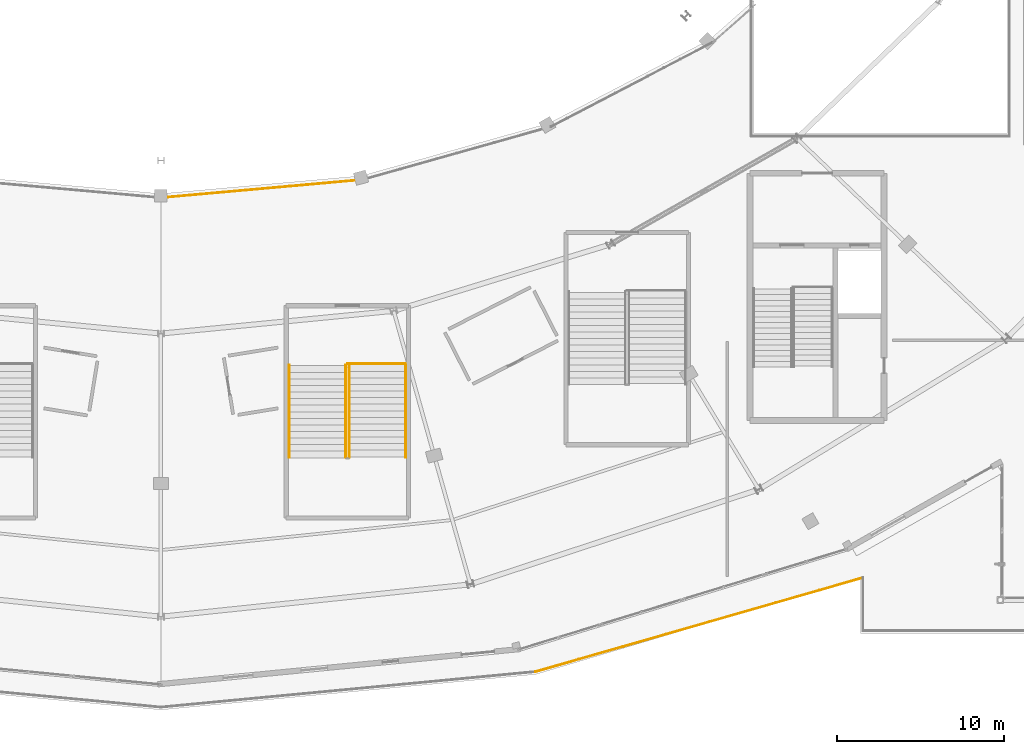
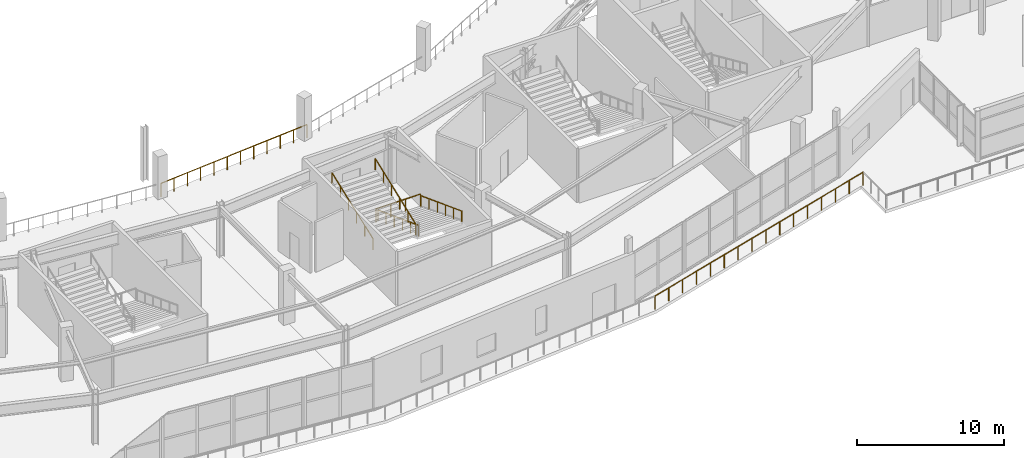
# One storey, part 108 of 123: 7 railings.
"""IFC4 building model written with IfcOpenShell, lengths in metres."""

from ifc_helpers import new_model, si_unit, direction, frame, origin, origin_2d, place, context, subcontext, project, spatial, circle, extrude, material, type_object, element, save


model = new_model("IFC4")

# Units and contexts
model_context = context("Model", 3, precision=1e-05, world=origin(), true_north=direction((0.0, 1.0)))
body_context = subcontext(model_context, "Body", "Model", "MODEL_VIEW")
ifc_project = project(units=[si_unit("LENGTHUNIT", "METRE"), si_unit("AREAUNIT", "SQUARE_METRE"), si_unit("VOLUMEUNIT", "CUBIC_METRE"), si_unit("PLANEANGLEUNIT", "RADIAN"), si_unit("MASSUNIT", "GRAM", prefix="KILO")], contexts=[model_context])

# Site, building, storey
site_placement = place(None, origin())
site = spatial("IfcSite", under=ifc_project, at=site_placement, CompositionType="ELEMENT")
building_placement = place(site_placement, origin())
building = spatial("IfcBuilding", under=site, at=building_placement, Name="Kalgoora Escarpment Arena", CompositionType="ELEMENT")
storey_placement = place(building_placement, frame((0.0, 0.0, 9.89990234375)))
storey = spatial("IfcBuildingStorey", under=building, at=storey_placement, Name="L02", CompositionType="ELEMENT", Elevation=9.89990234375)

# Railings
ifc_material_1 = material(Name="Galvanised & powdercoated tubular steel", Category="steel")
railing_type_1 = type_object("IfcRailingType", Name="RAL-GUARD-1120", PredefinedType="GUARDRAIL", material=ifc_material_1)
railing_1_placement = place(storey_placement, frame((107.090087890625, 22.18994140625, 0.0)))
element("IfcRailing", 1, at=railing_1_placement, inside=storey, type_object=railing_type_1, Name="ST15 L02 floor landing well guard", PredefinedType="GUARDRAIL", context=body_context, shape_type="SweptSolid", body=[
    extrude(circle(Radius=0.02392578125, at=origin_2d()), frame((0.0, 0.0, 1.09619140625), z_axis=(-1.0, 0.0, 0.0), x_axis=(0.0, -1.0, 0.0)), (0.0, 0.0, 1.0), 3.489990234375),
    extrude(circle(Radius=0.02099609375, at=origin_2d()), origin(), (0.0, 0.0, 1.0), 1.072021484375),
    extrude(circle(Radius=0.02099609375, at=origin_2d()), frame((-1.163330078125, 0.0, 0.0)), (0.0, 0.0, 1.0), 1.072021484375),
    extrude(circle(Radius=0.02099609375, at=origin_2d()), frame((-2.32666015625, 0.0, 0.0)), (0.0, 0.0, 1.0), 1.072021484375),
    extrude(circle(Radius=0.02099609375, at=origin_2d()), frame((-3.489990234375, 0.0, 0.0)), (0.0, 0.0, 1.0), 1.072021484375),
])
railing_2_placement = place(storey_placement, frame((92.39990234375, 32.14990234375, 0.0)))
element("IfcRailing", 2, at=railing_2_placement, inside=storey, type_object=railing_type_1, Name="L02 concourse bowl balustrade 19", PredefinedType="GUARDRAIL", context=body_context, shape_type="SweptSolid", body=[
    extrude(circle(Radius=0.02392578125, at=origin_2d()), frame((0.0, 0.0, 1.09619140625), z_axis=(0.996017346232, 0.089159665801, 0.0), x_axis=(-0.089159665801, 0.996017346232, 0.0)), (0.0, 0.0, 1.0), 12.17431640625),
    extrude(circle(Radius=0.02099609375, at=origin_2d()), origin(), (0.0, 0.0, 1.0), 1.072021484375),
    extrude(circle(Radius=0.02099609375, at=origin_2d()), frame((1.102294921875, 0.0986328125, 0.0)), (0.0, 0.0, 1.0), 1.072021484375),
    extrude(circle(Radius=0.02099609375, at=origin_2d()), frame((2.20458984375, 0.197265625, 0.0)), (0.0, 0.0, 1.0), 1.072021484375),
    extrude(circle(Radius=0.02099609375, at=origin_2d()), frame((3.30712890625, 0.296142578125, 0.0)), (0.0, 0.0, 1.0), 1.072021484375),
    extrude(circle(Radius=0.02099609375, at=origin_2d()), frame((4.409423828125, 0.394775390625, 0.0)), (0.0, 0.0, 1.0), 1.072021484375),
    extrude(circle(Radius=0.02099609375, at=origin_2d()), frame((5.51171875, 0.493408203125, 0.0)), (0.0, 0.0, 1.0), 1.072021484375),
    extrude(circle(Radius=0.02099609375, at=origin_2d()), frame((6.614013671875, 0.592041015625, 0.0)), (0.0, 0.0, 1.0), 1.072021484375),
    extrude(circle(Radius=0.02099609375, at=origin_2d()), frame((7.71630859375, 0.690673828125, 0.0)), (0.0, 0.0, 1.0), 1.072021484375),
    extrude(circle(Radius=0.02099609375, at=origin_2d()), frame((8.818603515625, 0.789306640625, 0.0)), (0.0, 0.0, 1.0), 1.072021484375),
    extrude(circle(Radius=0.02099609375, at=origin_2d()), frame((9.921142578125, 0.88818359375, 0.0)), (0.0, 0.0, 1.0), 1.072021484375),
    extrude(circle(Radius=0.02099609375, at=origin_2d()), frame((11.0234375, 0.98681640625, 0.0)), (0.0, 0.0, 1.0), 1.072021484375),
    extrude(circle(Radius=0.02099609375, at=origin_2d()), frame((12.125732421875, 1.08544921875, 0.0)), (0.0, 0.0, 1.0), 1.072021484375),
])
ifc_material_2 = material(Name="Brushed stainless steel 316 handrail", Category="steel")
railing_type_2 = type_object("IfcRailingType", Name="RAL-HAND-920", PredefinedType="HANDRAIL", material=ifc_material_2)
for number, where, name in (
    (3, (107.10009765625, 22.110107421875, 0.110107421875), "ST15 L02 pitched stair handrail F1L"),
    (4, (103.705078125, 22.110107421875, 0.110107421875), "ST15 L02 pitched stair handrail F1R"),
):
    element("IfcRailing", number, at=place(storey_placement, frame(where)), inside=storey, type_object=railing_type_2, Name=name, PredefinedType="HANDRAIL", context=body_context, shape_type="SweptSolid", body=[
        extrude(circle(Radius=0.02392578125, at=origin_2d()), frame((0.0, 0.0, 0.89599609375), z_axis=(0.0, -0.935492612948, 0.353346248203), x_axis=(1.0, 0.0, 0.0)), (0.0, 0.0, 1.0), 5.943359375),
        extrude(circle(Radius=0.02099609375, at=origin_2d()), origin(), (0.0, 0.0, 1.0), 0.871826171875),
        extrude(circle(Radius=0.02099609375, at=origin_2d()), frame((0.0, -1.112060546875, 0.419921875)), (0.0, 0.0, 1.0), 0.871826171875),
        extrude(circle(Radius=0.02099609375, at=origin_2d()), frame((0.0, -2.22412109375, 0.840087890625)), (0.0, 0.0, 1.0), 0.871826171875),
        extrude(circle(Radius=0.02099609375, at=origin_2d()), frame((0.0, -3.3359375, 1.260009765625)), (0.0, 0.0, 1.0), 0.871826171875),
        extrude(circle(Radius=0.02099609375, at=origin_2d()), frame((0.0, -4.447998046875, 1.68017578125)), (0.0, 0.0, 1.0), 0.871826171875),
        extrude(circle(Radius=0.02099609375, at=origin_2d()), frame((0.0, -5.56005859375, 2.10009765625)), (0.0, 0.0, 1.0), 0.871826171875),
    ])
for number, where, name in (
    (5, (103.4951171875, 16.550048828125, 2.360107421875), "ST15 L02 pitched stair handrail F2L"),
    (6, (100.10009765625, 16.550048828125, 2.360107421875), "ST15 L02 pitched stair handrail F2R"),
):
    element("IfcRailing", number, at=place(storey_placement, frame(where)), inside=storey, type_object=railing_type_2, Name=name, PredefinedType="HANDRAIL", context=body_context, shape_type="SweptSolid", body=[
        extrude(circle(Radius=0.02392578125, at=origin_2d()), frame((0.0, 0.0, 0.89599609375), z_axis=(0.0, 0.935492612948, 0.353346248203), x_axis=(-1.0, 0.0, 0.0)), (0.0, 0.0, 1.0), 5.943359375),
        extrude(circle(Radius=0.02099609375, at=origin_2d()), origin(), (0.0, 0.0, 1.0), 0.871826171875),
        extrude(circle(Radius=0.02099609375, at=origin_2d()), frame((0.0, 1.112060546875, 0.419921875)), (0.0, 0.0, 1.0), 0.871826171875),
        extrude(circle(Radius=0.02099609375, at=origin_2d()), frame((0.0, 2.22412109375, 0.840087890625)), (0.0, 0.0, 1.0), 0.871826171875),
        extrude(circle(Radius=0.02099609375, at=origin_2d()), frame((0.0, 3.3359375, 1.260009765625)), (0.0, 0.0, 1.0), 0.871826171875),
        extrude(circle(Radius=0.02099609375, at=origin_2d()), frame((0.0, 4.447998046875, 1.68017578125)), (0.0, 0.0, 1.0), 0.871826171875),
        extrude(circle(Radius=0.02099609375, at=origin_2d()), frame((0.0, 5.56005859375, 2.10009765625)), (0.0, 0.0, 1.0), 0.871826171875),
    ])
ifc_material_3 = material(Name="Champagne anodised aluminium & laminated glass", Category="aluminium")
railing_type_3 = type_object("IfcRailingType", Name="RAL-TERR-1100", PredefinedType="GUARDRAIL", material=ifc_material_3)
railing_3_placement = place(storey_placement, frame((134.56005859375, 9.339599609375, 0.0)))
element("IfcRailing", 7, at=railing_3_placement, inside=storey, type_object=railing_type_3, Name="Middle Planted Elliptical Garden Promenade perimeter guardrail 022", PredefinedType="GUARDRAIL", context=body_context, shape_type="SweptSolid", body=[
    extrude(circle(Radius=0.02392578125, at=origin_2d()), frame((0.0, 0.0, 1.09619140625), z_axis=(-0.961165298235, -0.275973312964, 0.0), x_axis=(0.275973312964, -0.961165298235, 0.0)), (0.0, 0.0, 1.0), 20.46826171875),
    extrude(circle(Radius=0.02099609375, at=origin_2d()), origin(), (0.0, 0.0, 1.0), 1.072021484375),
    extrude(circle(Radius=0.02099609375, at=origin_2d()), frame((-1.3115234375, -0.37646484375, 0.0)), (0.0, 0.0, 1.0), 1.072021484375),
    extrude(circle(Radius=0.02099609375, at=origin_2d()), frame((-2.623046875, -0.753173828125, 0.0)), (0.0, 0.0, 1.0), 1.072021484375),
    extrude(circle(Radius=0.02099609375, at=origin_2d()), frame((-3.9345703125, -1.129638671875, 0.0)), (0.0, 0.0, 1.0), 1.072021484375),
    extrude(circle(Radius=0.02099609375, at=origin_2d()), frame((-5.246337890625, -1.50634765625, 0.0)), (0.0, 0.0, 1.0), 1.072021484375),
    extrude(circle(Radius=0.02099609375, at=origin_2d()), frame((-6.557861328125, -1.8828125, 0.0)), (0.0, 0.0, 1.0), 1.072021484375),
    extrude(circle(Radius=0.02099609375, at=origin_2d()), frame((-7.869384765625, -2.259521484375, 0.0)), (0.0, 0.0, 1.0), 1.072021484375),
    extrude(circle(Radius=0.02099609375, at=origin_2d()), frame((-9.180908203125, -2.635986328125, 0.0)), (0.0, 0.0, 1.0), 1.072021484375),
    extrude(circle(Radius=0.02099609375, at=origin_2d()), frame((-10.492431640625, -3.0126953125, 0.0)), (0.0, 0.0, 1.0), 1.072021484375),
    extrude(circle(Radius=0.02099609375, at=origin_2d()), frame((-11.803955078125, -3.38916015625, 0.0)), (0.0, 0.0, 1.0), 1.072021484375),
    extrude(circle(Radius=0.02099609375, at=origin_2d()), frame((-13.115478515625, -3.765869140625, 0.0)), (0.0, 0.0, 1.0), 1.072021484375),
    extrude(circle(Radius=0.02099609375, at=origin_2d()), frame((-14.427001953125, -4.142333984375, 0.0)), (0.0, 0.0, 1.0), 1.072021484375),
    extrude(circle(Radius=0.02099609375, at=origin_2d()), frame((-15.73876953125, -4.51904296875, 0.0)), (0.0, 0.0, 1.0), 1.072021484375),
    extrude(circle(Radius=0.02099609375, at=origin_2d()), frame((-17.05029296875, -4.8955078125, 0.0)), (0.0, 0.0, 1.0), 1.072021484375),
    extrude(circle(Radius=0.02099609375, at=origin_2d()), frame((-18.36181640625, -5.272216796875, 0.0)), (0.0, 0.0, 1.0), 1.072021484375),
    extrude(circle(Radius=0.02099609375, at=origin_2d()), frame((-19.67333984375, -5.648681640625, 0.0)), (0.0, 0.0, 1.0), 1.072021484375),
])

save(model, "model.ifc")
